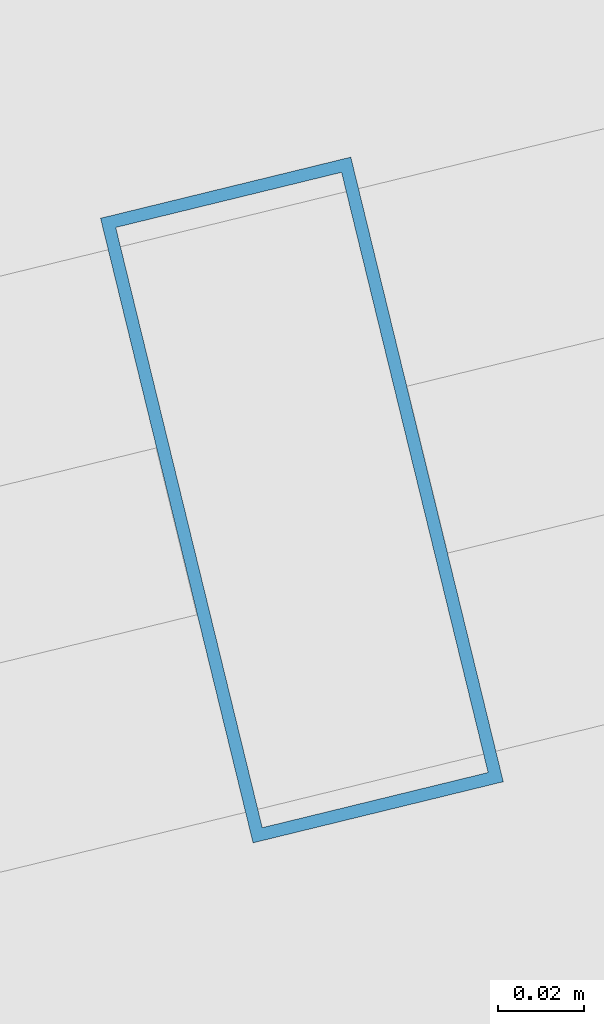
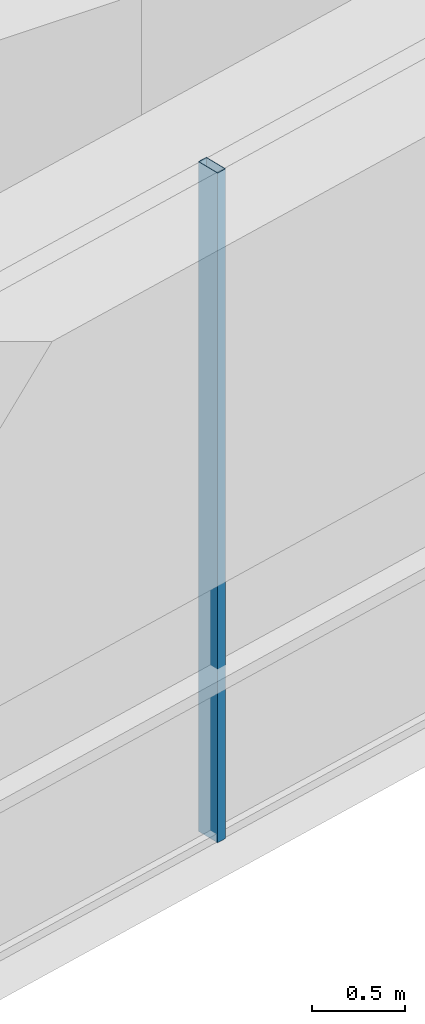
# One storey, part 10 of 39: 1 member, 1 element without a shape of its own.
"""IFC4 building model written with IfcOpenShell, lengths in metres."""

from ifc_helpers import new_model, si_unit, direction, frame, origin, origin_2d, place, context, subcontext, project, spatial, hollow_rectangle, extrude, source, transform, mapped, material, layer, layer_set, material_profile, profile_set, type_object, element, aggregate, save


model = new_model("IFC4")

# Units and contexts
model_context = context("Model", 3, precision=1e-05, world=origin(), true_north=direction((0.0, 1.0)))
body_context = subcontext(model_context, "Body", "Model", "MODEL_VIEW")
ifc_project = project(units=[si_unit("LENGTHUNIT", "METRE"), si_unit("AREAUNIT", "SQUARE_METRE"), si_unit("VOLUMEUNIT", "CUBIC_METRE"), si_unit("PLANEANGLEUNIT", "RADIAN"), si_unit("MASSUNIT", "GRAM", prefix="KILO")], contexts=[model_context])

# Site, building, storey
site_placement = place(None, origin())
site = spatial("IfcSite", under=ifc_project, at=site_placement, CompositionType="ELEMENT")
building_placement = place(site_placement, origin())
building = spatial("IfcBuilding", under=site, at=building_placement, Name="Veraguas Prism Commons", CompositionType="ELEMENT")
storey_placement = place(building_placement, frame((0.0, 0.0, 264.25)))
storey = spatial("IfcBuildingStorey", under=building, at=storey_placement, Name="L75", CompositionType="ELEMENT", Elevation=264.25)

# Curtain wall, member
ifc_material = material(Name="Anodised aluminium EN AW-6063 T6", Category="aluminium")
ifc_layer = layer(ifc_material, 0.14990234375, Name="Unitised Flush Curtain Wall Zone 4", Category="aluminium")
ifc_layer_set = layer_set([ifc_layer], Name="Anodised aluminium EN AW-6063 T6")
curtain_wall_type = type_object("IfcCurtainWallType", Name="Unitised Flush Curtain Wall Zone 4", PredefinedType="NOTDEFINED", material=ifc_layer_set)
curtain_wall_placement = place(storey_placement, origin())
curtain_wall = element("IfcCurtainWall", 1, at=curtain_wall_placement, inside=storey, type_object=curtain_wall_type, Name="Tower Facade Curtain Wall L75-F5", PredefinedType="NOTDEFINED")
ifc_material_profile = material_profile(ifc_material, hollow_rectangle(XDim=0.06005859375, YDim=0.14990234375, WallThickness=0.0029296875, at=origin_2d()), Name="AL60X150X3")
ifc_profile_set = profile_set([ifc_material_profile], Name="Anodised aluminium EN AW-6063 T6")
member_type = type_object("IfcMemberType", Name="Curtain Wall Mullion Upper AL 60x150x3", PredefinedType="MULLION", material=ifc_profile_set)
shared_shape = source(origin(), body_context, "Body", "SweptSolid", [
    extrude(hollow_rectangle(XDim=0.06005859375, YDim=0.14990234375, WallThickness=0.0029296875, at=origin_2d()), origin(), (0.0, 0.0, 1.0), 4.389892578125),
])
member_placement = place(storey_placement, frame((27.902587890625, 8.01513671875, 0.0), z_axis=(0.0, 0.0, 1.0), x_axis=(0.97146556079, 0.237180657305, 0.0)))
member = element("IfcMember", 2, at=member_placement, type_object=member_type, Name="CW-Z4 Mullion 3", PredefinedType="MULLION", context=body_context, shape_type="MappedRepresentation", body=[
    mapped(shared_shape, transform((0.0, 0.0, 0.0), scale=1.0)),
])
aggregate(curtain_wall, [member])

save(model, "model.ifc")
